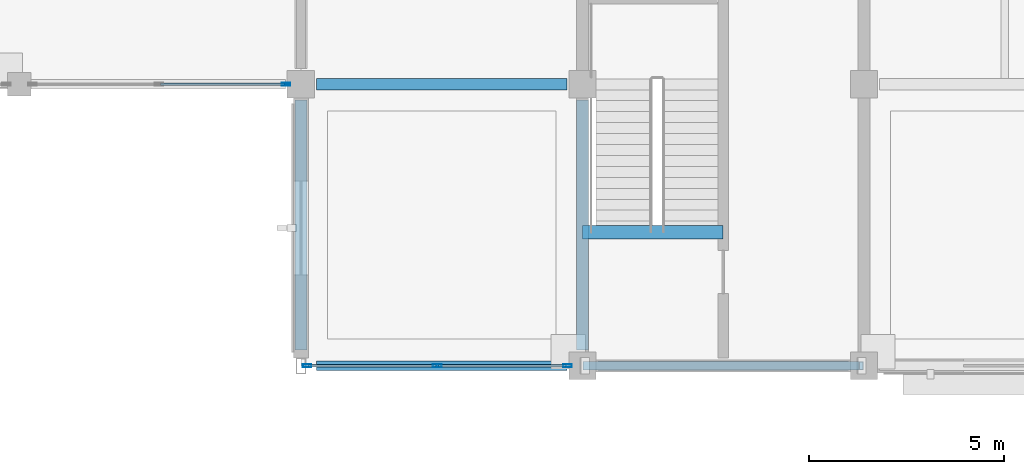
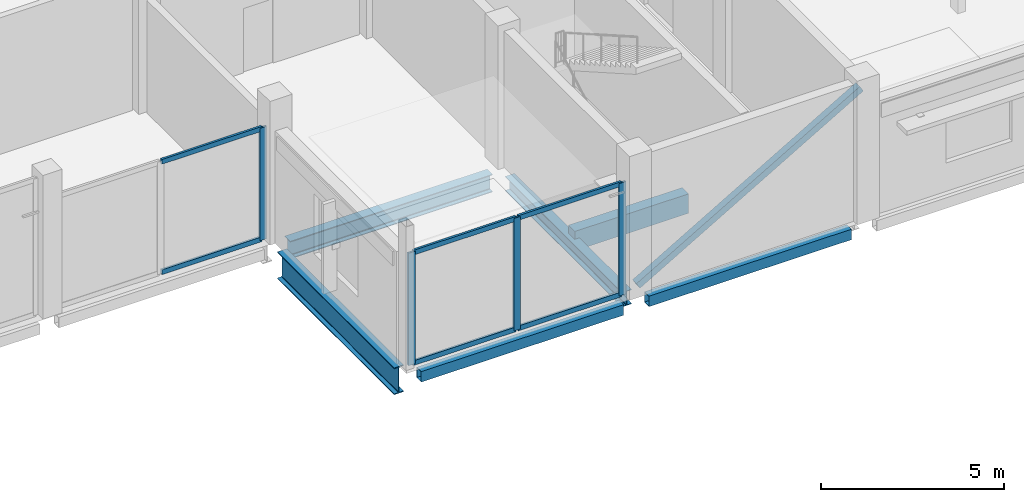
# One storey, part 31 of 120: 11 members, 6 beams, 2 elements without a shape of their own.
"""IFC4 building model written with IfcOpenShell, lengths in metres."""

from ifc_helpers import new_model, si_unit, direction, frame, origin, origin_2d, place, context, subcontext, project, spatial, rectangle, hollow_rectangle, i_section, extrude, material, material_profile, profile_set, type_object, element, aggregate, save


model = new_model("IFC4")

# Units and contexts
model_context = context("Model", 3, precision=1e-05, world=origin(), true_north=direction((0.0, 1.0)))
body_context = subcontext(model_context, "Body", "Model", "MODEL_VIEW")
ifc_project = project(units=[si_unit("LENGTHUNIT", "METRE"), si_unit("AREAUNIT", "SQUARE_METRE"), si_unit("VOLUMEUNIT", "CUBIC_METRE"), si_unit("PLANEANGLEUNIT", "RADIAN"), si_unit("MASSUNIT", "GRAM", prefix="KILO")], contexts=[model_context])

# Site, building, storey
site_placement = place(None, origin())
site = spatial("IfcSite", under=ifc_project, at=site_placement, CompositionType="ELEMENT")
building_placement = place(site_placement, origin())
building = spatial("IfcBuilding", under=site, at=building_placement, Name="Vesperath Aquatics Centre", CompositionType="ELEMENT")
storey_placement = place(building_placement, frame((0.0, 0.0, 10.199951171875)))
storey = spatial("IfcBuildingStorey", under=building, at=storey_placement, Name="L02", CompositionType="ELEMENT", Elevation=10.199951171875)

# Beams
ifc_material_1 = material(Name="Concrete C35", Category="concrete")
ifc_material_profile_1 = material_profile(ifc_material_1, rectangle(XDim=0.35009765625, YDim=0.64990234375, at=origin_2d()), Name="RC 350x650")
ifc_profile_set_1 = profile_set([ifc_material_profile_1], Name="Concrete C35")
beam_type_1 = type_object("IfcBeamType", Name="BM-G05", PredefinedType="BEAM", material=ifc_profile_set_1)
beam_1_placement = place(storey_placement, frame((122.39990234375, 3.419921875, -0.324951171875), z_axis=(1.0, 0.0, 0.0), x_axis=(0.0, 1.0, 0.0)))
element("IfcBeam", 1, at=beam_1_placement, inside=storey, type_object=beam_type_1, Name="Stair ST5 Landing Trimmer Beam B05 L02", PredefinedType="BEAM", context=body_context, shape_type="SweptSolid", body=[
    extrude(rectangle(XDim=0.35009765625, YDim=0.64990234375, at=origin_2d()), origin(), (0.0, 0.0, 1.0), 3.60009765625),
])
ifc_material_2 = material(Name="Steel Q355D", Category="steel")
ifc_material_profile_2 = material_profile(ifc_material_2, i_section(OverallWidth=0.300048828125, OverallDepth=0.89990234375, WebThickness=0.01611328125, FlangeThickness=0.028076171875, FilletRadius=0.028076171875, at=origin_2d()), Name="HN 900x300x16x28")
ifc_profile_set_2 = profile_set([ifc_material_profile_2], Name="Steel Q355D")
beam_type_2 = type_object("IfcBeamType", Name="BM-G06", PredefinedType="BEAM", material=ifc_profile_set_2)
beam_2_placement = place(storey_placement, frame((115.199951171875, 0.39990234375, -0.7099609375), z_axis=(0.0, 1.0, 0.0), x_axis=(-1.0, 0.0, 0.0)))
element("IfcBeam", 2, at=beam_2_placement, inside=storey, type_object=beam_type_2, Name="Floor Girder B06 L02 17 A-B", PredefinedType="BEAM", context=body_context, shape_type="SweptSolid", body=[
    extrude(i_section(OverallWidth=0.300048828125, OverallDepth=0.89990234375, WebThickness=0.01611328125, FlangeThickness=0.028076171875, FilletRadius=0.028076171875, at=origin_2d()), origin(), (0.0, 0.0, 1.0), 6.400146484375),
])
ifc_material_3 = material(Name="Steel Q355C", Category="steel")
ifc_material_profile_3 = material_profile(ifc_material_3, i_section(OverallWidth=0.300048828125, OverallDepth=0.587890625, WebThickness=0.011962890625, FlangeThickness=0.02001953125, FilletRadius=0.028076171875, at=origin_2d()), Name="HM 588x300x12x20")
ifc_profile_set_3 = profile_set([ifc_material_profile_3], Name="Steel Q355C")
beam_type_3 = type_object("IfcBeamType", Name="BM-G09", PredefinedType="BEAM", material=ifc_profile_set_3)
beam_3_placement = place(storey_placement, frame((115.60009765625, 7.199951171875, -0.553955078125), z_axis=(1.0, 0.0, 0.0), x_axis=(0.0, 1.0, 0.0)))
element("IfcBeam", 3, at=beam_3_placement, inside=storey, type_object=beam_type_3, Name="Floor Girder B09 L02 B 17-18", PredefinedType="BEAM", context=body_context, shape_type="SweptSolid", body=[
    extrude(i_section(OverallWidth=0.300048828125, OverallDepth=0.587890625, WebThickness=0.011962890625, FlangeThickness=0.02001953125, FilletRadius=0.028076171875, at=origin_2d()), origin(), (0.0, 0.0, 1.0), 6.39990234375),
])
ifc_material_profile_4 = material_profile(ifc_material_3, i_section(OverallWidth=0.300048828125, OverallDepth=0.488037109375, WebThickness=0.010986328125, FlangeThickness=0.01806640625, FilletRadius=0.02587890625, at=origin_2d()), Name="HM 488x300x11x18")
ifc_profile_set_4 = profile_set([ifc_material_profile_4], Name="Steel Q355C")
beam_type_4 = type_object("IfcBeamType", Name="BM-G10", PredefinedType="BEAM", material=ifc_profile_set_4)
beam_4_placement = place(storey_placement, frame((122.39990234375, 0.39990234375, -0.50390625), z_axis=(0.0, 1.0, 0.0), x_axis=(-1.0, 0.0, 0.0)))
element("IfcBeam", 4, at=beam_4_placement, inside=storey, type_object=beam_type_4, Name="Floor Girder B10 L02 18 A-B", PredefinedType="BEAM", context=body_context, shape_type="SweptSolid", body=[
    extrude(i_section(OverallWidth=0.300048828125, OverallDepth=0.488037109375, WebThickness=0.010986328125, FlangeThickness=0.01806640625, FilletRadius=0.02587890625, at=origin_2d()), origin(), (0.0, 0.0, 1.0), 6.400146484375),
])
ifc_material_profile_5 = material_profile(ifc_material_2, hollow_rectangle(XDim=0.25, YDim=0.35009765625, WallThickness=0.011962890625, at=origin_2d()), Name="RHS 350x250x12")
ifc_profile_set_5 = profile_set([ifc_material_profile_5], Name="Steel Q355D")
beam_type_5 = type_object("IfcBeamType", Name="BM-SP02", PredefinedType="SPANDREL", material=ifc_profile_set_5)
for number, where, z_axis, x_axis, name in (
    (5, (115.60009765625, 0.0, -0.43505859375), (1.0, 0.0, 0.0), (0.0, 1.0, 0.0), "Floor Girder SP02 L02 A 17-18"),
    (6, (122.800048828125, 0.0, -0.43505859375), (1.0, 0.0, 0.0), (0.0, 1.0, 0.0), "Floor Girder SP02 L02 A 18-19"),
):
    element("IfcBeam", number, at=place(storey_placement, frame(where, z_axis=z_axis, x_axis=x_axis)), inside=storey, type_object=beam_type_5, Name=name, PredefinedType="SPANDREL", context=body_context, shape_type="SweptSolid", body=[
        extrude(hollow_rectangle(XDim=0.25, YDim=0.35009765625, WallThickness=0.011962890625, at=origin_2d()), origin(), (0.0, 0.0, 1.0), 6.39990234375),
    ])

# Member
ifc_material_profile_6 = material_profile(ifc_material_2, hollow_rectangle(XDim=0.219970703125, YDim=0.219970703125, WallThickness=0.010009765625, at=origin_2d()), Name="SHS 220x220x10")
ifc_profile_set_6 = profile_set([ifc_material_profile_6], Name="Steel Q355D")
member_type_1 = type_object("IfcMemberType", Name="MB-BR02", PredefinedType="BRACE", material=ifc_profile_set_6)
member_1_placement = place(storey_placement, frame((122.468994140625, 0.0, 0.1904296875), z_axis=(0.863785399272, 0.0, 0.50385988529), x_axis=(0.0, 1.0, 0.0)))
element("IfcMember", 7, at=member_1_placement, inside=storey, type_object=member_type_1, Name="Lateral Braced Frame Strut C5_S L02", PredefinedType="BRACE", context=body_context, shape_type="SweptSolid", body=[
    extrude(hollow_rectangle(XDim=0.219970703125, YDim=0.219970703125, WallThickness=0.010009765625, at=origin_2d()), origin(), (0.0, 0.0, 1.0), 8.175537109375),
])

# Curtain wall, members
ifc_material_4 = material(Name="Thermally broken anodised bronze aluminium curtain wall", Category="aluminium")
curtain_wall_type = type_object("IfcCurtainWallType", Name="CW-06", PredefinedType="NOTDEFINED", material=ifc_material_4)
curtain_wall_1_placement = place(storey_placement, origin())
curtain_wall_1 = element("IfcCurtainWall", 8, at=curtain_wall_1_placement, inside=storey, type_object=curtain_wall_type, Name="Facade Curtain Wall CW06 L02_S_16_00", PredefinedType="NOTDEFINED")
ifc_material_5 = material(Name="Thermally broken anodised aluminium", Category="aluminium")
ifc_material_profile_7 = material_profile(ifc_material_5, hollow_rectangle(XDim=0.070068359375, YDim=0.219970703125, WallThickness=0.0048828125, at=origin_2d()), Name="CWM 70x220x5")
ifc_profile_set_7 = profile_set([ifc_material_profile_7], Name="Thermally broken anodised aluminium")
member_type_2 = type_object("IfcMemberType", Name="MB-CWM2", PredefinedType="MULLION", material=ifc_profile_set_7)
member_2_placement = place(storey_placement, frame((115.360107421875, 0.0, 0.0), z_axis=(0.0, 0.0, 1.0), x_axis=(0.0, 1.0, 0.0)))
member_2 = element("IfcMember", 9, at=member_2_placement, type_object=member_type_2, Name="CW06 mullion 1", PredefinedType="MULLION", context=body_context, shape_type="SweptSolid", body=[
    extrude(hollow_rectangle(XDim=0.070068359375, YDim=0.219970703125, WallThickness=0.0048828125, at=origin_2d()), origin(), (0.0, 0.0, 1.0), 3.760009765625),
])
member_3_placement = place(storey_placement, frame((118.6875, 0.0, 0.0), z_axis=(0.0, 0.0, 1.0), x_axis=(0.0, 1.0, 0.0)))
member_3 = element("IfcMember", 10, at=member_3_placement, type_object=member_type_2, Name="CW06 mullion 2", PredefinedType="MULLION", context=body_context, shape_type="SweptSolid", body=[
    extrude(hollow_rectangle(XDim=0.070068359375, YDim=0.219970703125, WallThickness=0.0048828125, at=origin_2d()), origin(), (0.0, 0.0, 1.0), 3.760009765625),
])
member_4_placement = place(storey_placement, frame((122.014892578125, 0.0, 0.0), z_axis=(0.0, 0.0, 1.0), x_axis=(0.0, 1.0, 0.0)))
member_4 = element("IfcMember", 11, at=member_4_placement, type_object=member_type_2, Name="CW06 mullion 3", PredefinedType="MULLION", context=body_context, shape_type="SweptSolid", body=[
    extrude(hollow_rectangle(XDim=0.070068359375, YDim=0.219970703125, WallThickness=0.0048828125, at=origin_2d()), origin(), (0.0, 0.0, 1.0), 3.760009765625),
])

# Curtain wall, member
curtain_wall_2_placement = place(storey_placement, origin())
curtain_wall_2 = element("IfcCurtainWall", 12, at=curtain_wall_2_placement, inside=storey, type_object=curtain_wall_type, Name="Facade Curtain Wall CW06 L02_S_15_01", PredefinedType="NOTDEFINED")
member_5_placement = place(storey_placement, frame((114.81494140625, 7.199951171875, 0.0), z_axis=(0.0, 0.0, 1.0), x_axis=(0.0, 1.0, 0.0)))
member_5 = element("IfcMember", 13, at=member_5_placement, type_object=member_type_2, Name="CW06 mullion 3", PredefinedType="MULLION", context=body_context, shape_type="SweptSolid", body=[
    extrude(hollow_rectangle(XDim=0.070068359375, YDim=0.219970703125, WallThickness=0.0048828125, at=origin_2d()), origin(), (0.0, 0.0, 1.0), 3.760009765625),
])

# Member
ifc_material_profile_8 = material_profile(ifc_material_5, hollow_rectangle(XDim=0.070068359375, YDim=0.159912109375, WallThickness=0.0048828125, at=origin_2d()), Name="CWT 70x160x5")
ifc_profile_set_8 = profile_set([ifc_material_profile_8], Name="Thermally broken anodised aluminium")
member_type_3 = type_object("IfcMemberType", Name="MB-CWT2", PredefinedType="USERDEFINED", material=ifc_profile_set_8)
member_6_placement = place(storey_placement, frame((115.39501953125, 0.0, 0.03515625), z_axis=(1.0, 0.0, 0.0), x_axis=(0.0, 1.0, 0.0)))
member_6 = element("IfcMember", 14, at=member_6_placement, type_object=member_type_3, Name="CW06 transom 1.1", ObjectType="TRANSOM", PredefinedType="USERDEFINED", context=body_context, shape_type="SweptSolid", body=[
    extrude(hollow_rectangle(XDim=0.070068359375, YDim=0.159912109375, WallThickness=0.0048828125, at=origin_2d()), origin(), (0.0, 0.0, 1.0), 3.257568359375),
])

member_7_placement = place(storey_placement, frame((115.39501953125, 0.0, 3.72509765625), z_axis=(1.0, 0.0, 0.0), x_axis=(0.0, 1.0, 0.0)))
member_7 = element("IfcMember", 15, at=member_7_placement, type_object=member_type_3, Name="CW06 transom 1.2", ObjectType="TRANSOM", PredefinedType="USERDEFINED", context=body_context, shape_type="SweptSolid", body=[
    extrude(hollow_rectangle(XDim=0.070068359375, YDim=0.159912109375, WallThickness=0.0048828125, at=origin_2d()), origin(), (0.0, 0.0, 1.0), 3.257568359375),
])

member_8_placement = place(storey_placement, frame((118.722412109375, 0.0, 0.03515625), z_axis=(1.0, 0.0, 0.0), x_axis=(0.0, 1.0, 0.0)))
member_8 = element("IfcMember", 16, at=member_8_placement, type_object=member_type_3, Name="CW06 transom 2.1", ObjectType="TRANSOM", PredefinedType="USERDEFINED", context=body_context, shape_type="SweptSolid", body=[
    extrude(hollow_rectangle(XDim=0.070068359375, YDim=0.159912109375, WallThickness=0.0048828125, at=origin_2d()), origin(), (0.0, 0.0, 1.0), 3.257568359375),
])

member_9_placement = place(storey_placement, frame((118.722412109375, 0.0, 3.72509765625), z_axis=(1.0, 0.0, 0.0), x_axis=(0.0, 1.0, 0.0)))
member_9 = element("IfcMember", 17, at=member_9_placement, type_object=member_type_3, Name="CW06 transom 2.2", ObjectType="TRANSOM", PredefinedType="USERDEFINED", context=body_context, shape_type="SweptSolid", body=[
    extrude(hollow_rectangle(XDim=0.070068359375, YDim=0.159912109375, WallThickness=0.0048828125, at=origin_2d()), origin(), (0.0, 0.0, 1.0), 3.257568359375),
])

aggregate(curtain_wall_1, [member_2, member_3, member_4, member_6, member_7, member_8, member_9])

member_10_placement = place(storey_placement, frame((111.610107421875, 7.199951171875, 0.03515625), z_axis=(1.0, 0.0, 0.0), x_axis=(0.0, 1.0, 0.0)))
member_10 = element("IfcMember", 18, at=member_10_placement, type_object=member_type_3, Name="CW06 transom 2.1", ObjectType="TRANSOM", PredefinedType="USERDEFINED", context=body_context, shape_type="SweptSolid", body=[
    extrude(hollow_rectangle(XDim=0.070068359375, YDim=0.159912109375, WallThickness=0.0048828125, at=origin_2d()), origin(), (0.0, 0.0, 1.0), 3.169921875),
])

member_11_placement = place(storey_placement, frame((111.610107421875, 7.199951171875, 3.72509765625), z_axis=(1.0, 0.0, 0.0), x_axis=(0.0, 1.0, 0.0)))
member_11 = element("IfcMember", 19, at=member_11_placement, type_object=member_type_3, Name="CW06 transom 2.2", ObjectType="TRANSOM", PredefinedType="USERDEFINED", context=body_context, shape_type="SweptSolid", body=[
    extrude(hollow_rectangle(XDim=0.070068359375, YDim=0.159912109375, WallThickness=0.0048828125, at=origin_2d()), origin(), (0.0, 0.0, 1.0), 3.169921875),
])

aggregate(curtain_wall_2, [member_5, member_10, member_11])

save(model, "model.ifc")
